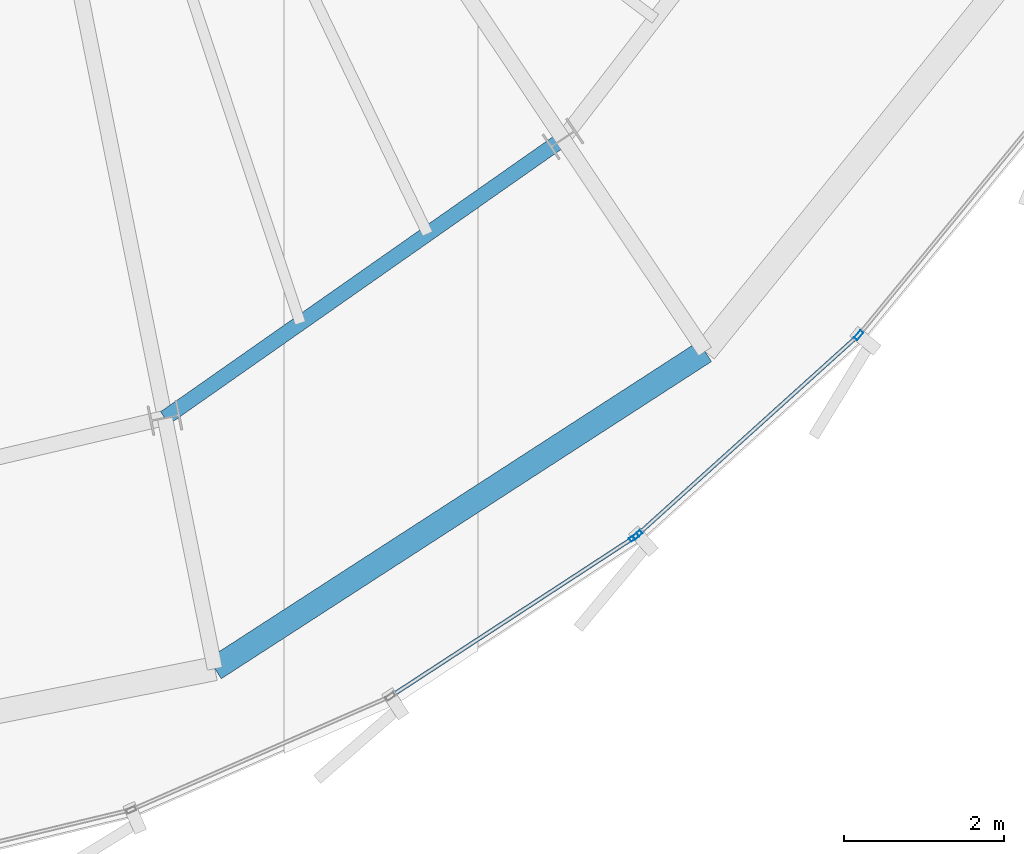
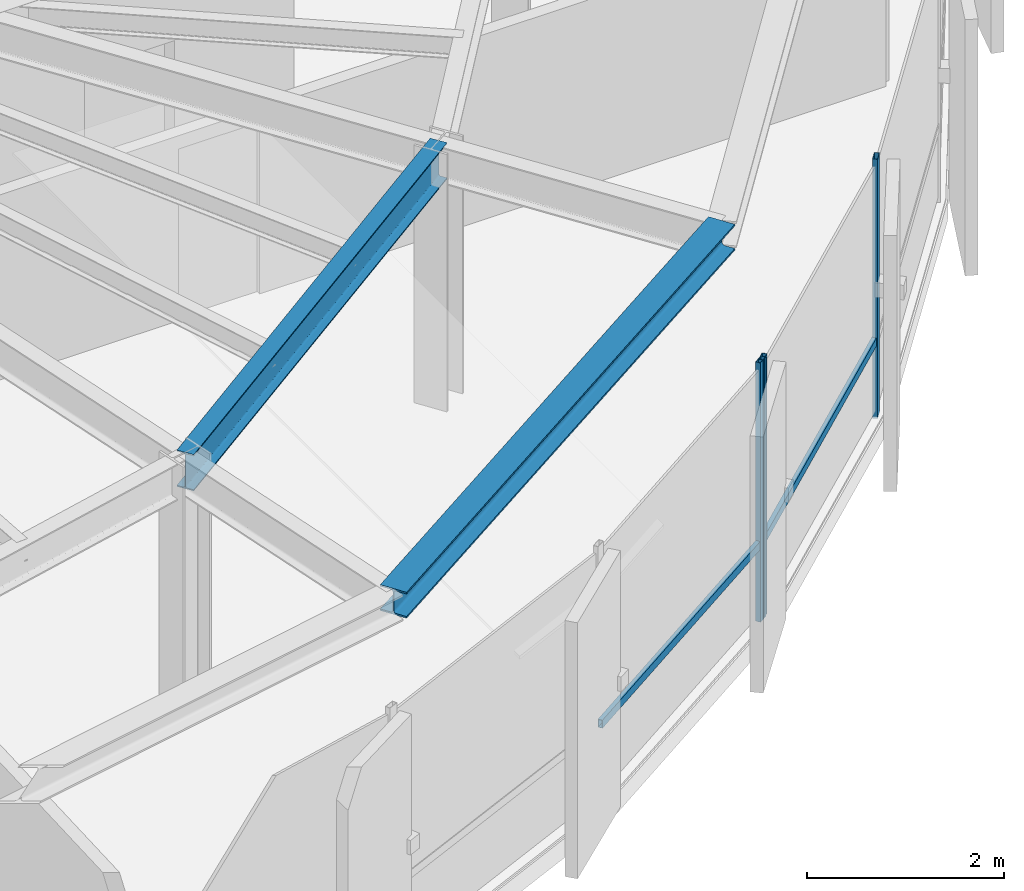
# One storey, part 7 of 31: 5 members, 2 beams, 2 elements without a shape of their own.
"""IFC4 building model written with IfcOpenShell, lengths in metres."""

from ifc_helpers import new_model, si_unit, direction, frame, origin, origin_2d, place, context, subcontext, project, spatial, hollow_rectangle, i_section, extrude, source, transform, mapped, material, layer, layer_set, material_profile, profile_set, type_object, element, aggregate, save


model = new_model("IFC4")

# Units and contexts
model_context = context("Model", 3, precision=1e-05, world=origin(), true_north=direction((0.0, 1.0)))
body_context = subcontext(model_context, "Body", "Model", "MODEL_VIEW")
ifc_project = project(units=[si_unit("LENGTHUNIT", "METRE"), si_unit("AREAUNIT", "SQUARE_METRE"), si_unit("VOLUMEUNIT", "CUBIC_METRE"), si_unit("PLANEANGLEUNIT", "RADIAN"), si_unit("MASSUNIT", "GRAM", prefix="KILO"), si_unit("THERMODYNAMICTEMPERATUREUNIT", "KELVIN")], contexts=[model_context])

# Site, building, storey
site_placement = place(None, origin())
site = spatial("IfcSite", under=ifc_project, at=site_placement, CompositionType="ELEMENT")
building_placement = place(site_placement, origin())
building = spatial("IfcBuilding", under=site, at=building_placement, Name="Kethvar Cultural Tower", CompositionType="ELEMENT")
storey_placement = place(building_placement, frame((0.0, 0.0, 287.050048828125)))
storey = spatial("IfcBuildingStorey", under=building, at=storey_placement, Name="L76", CompositionType="ELEMENT", Elevation=287.050048828125)

# Beams
ifc_material_1 = material(Name="Steel S355J2", Category="steel")
ifc_material_profile_1 = material_profile(ifc_material_1, i_section(OverallWidth=0.18994140625, OverallDepth=0.449951171875, WebThickness=0.009521484375, FlangeThickness=0.0146484375, FilletRadius=0.02099609375, at=origin_2d()), Name="Steel S355J2 — IPE450")
ifc_profile_set_1 = profile_set([ifc_material_profile_1], Name="Steel S355J2 — IPE450")
beam_type_1 = type_object("IfcBeamType", Name="BM-IPE450", PredefinedType="BEAM", material=ifc_profile_set_1)
shared_shape_1 = source(origin(), body_context, "Body", "SweptSolid", [
    extrude(i_section(OverallWidth=0.18994140625, OverallDepth=0.449951171875, WebThickness=0.009521484375, FlangeThickness=0.0146484375, FilletRadius=0.02099609375, at=origin_2d()), origin(), (0.0, 0.0, 1.0), 6.0859375),
])
beam_1_placement = place(storey_placement, frame((49.901611328125, 12.206787109375, 2.98291015625), z_axis=(0.818843498091, 0.57401683393, 0.0), x_axis=(-0.57401683393, 0.818843498091, 0.0)))
element("IfcBeam", 1, at=beam_1_placement, inside=storey, type_object=beam_type_1, Name="L76 Column Ring Tie Beam CR-13", PredefinedType="BEAM", context=body_context, shape_type="MappedRepresentation", body=[
    mapped(shared_shape_1, transform((0.0, 0.0, 0.0), scale=1.0)),
])
ifc_material_profile_2 = material_profile(ifc_material_1, i_section(OverallWidth=0.300048828125, OverallDepth=0.320068359375, WebThickness=0.011474609375, FlangeThickness=0.0205078125, FilletRadius=0.027099609375, at=origin_2d()), Name="Steel S355J2 — HEB320")
ifc_profile_set_2 = profile_set([ifc_material_profile_2], Name="Steel S355J2 — HEB320")
beam_type_2 = type_object("IfcBeamType", Name="BM-SP320", PredefinedType="SPANDREL", material=ifc_profile_set_2)
shared_shape_2 = source(origin(), body_context, "Body", "SweptSolid", [
    extrude(i_section(OverallWidth=0.300048828125, OverallDepth=0.320068359375, WebThickness=0.011474609375, FlangeThickness=0.0205078125, FilletRadius=0.027099609375, at=origin_2d()), origin(), (0.0, 0.0, 1.0), 7.309326171875),
])
beam_2_placement = place(storey_placement, frame((50.52587890625, 9.068359375, 3.0478515625), z_axis=(0.839562091992, 0.543263742292, 0.0), x_axis=(-0.543263742292, 0.839562091992, 0.0)))
element("IfcBeam", 2, at=beam_2_placement, inside=storey, type_object=beam_type_2, Name="L76 Perimeter Spandrel Beam SP-13", PredefinedType="SPANDREL", context=body_context, shape_type="MappedRepresentation", body=[
    mapped(shared_shape_2, transform((0.0, 0.0, 0.0), scale=1.0)),
])

# Curtain wall, member
ifc_material_2 = material(Name="Aluminium 6063-T6", Category="aluminium")
ifc_layer = layer(ifc_material_2, 0.179931640625, Name="Aluminium 6063-T6", Category="aluminium")
ifc_layer_set = layer_set([ifc_layer], Name="Aluminium 6063-T6 (180 mm)")
curtain_wall_type = type_object("IfcCurtainWallType", Name="CW-SYS-05-Z56", PredefinedType="NOTDEFINED", material=ifc_layer_set)
curtain_wall_1_placement = place(storey_placement, origin())
curtain_wall_1 = element("IfcCurtainWall", 3, at=curtain_wall_1_placement, inside=storey, type_object=curtain_wall_type, Name="L76 Curtain Wall Run 04", PredefinedType="NOTDEFINED")
ifc_material_profile_3 = material_profile(ifc_material_2, hollow_rectangle(XDim=0.054931640625, YDim=0.1201171875, WallThickness=0.00390625, at=origin_2d()), Name="Aluminium 6063-T6 — RHS120x55x4")
ifc_profile_set_3 = profile_set([ifc_material_profile_3], Name="Aluminium 6063-T6 — RHS120x55x4")
member_type_1 = type_object("IfcMemberType", Name="CW-SYS-05-Z56-MUL", PredefinedType="MULLION", material=ifc_profile_set_3)
shared_shape_3 = source(origin(), body_context, "Body", "SweptSolid", [
    extrude(hollow_rectangle(XDim=0.054931640625, YDim=0.1201171875, WallThickness=0.00390625, at=origin_2d()), origin(), (0.0, 0.0, 1.0), 3.2099609375),
])
member_1_placement = place(storey_placement, frame((55.775390625, 10.7119140625, 0.0), z_axis=(0.0, 0.0, 1.0), x_axis=(-0.546730508005, 0.837308635819, 0.0)))
member_1 = element("IfcMember", 4, at=member_1_placement, type_object=member_type_1, Name="CW-L76-R04 Mullion 7", PredefinedType="MULLION", context=body_context, shape_type="MappedRepresentation", body=[
    mapped(shared_shape_3, transform((0.0, 0.0, 0.0), scale=1.0)),
])

# Curtain wall, members
curtain_wall_2_placement = place(storey_placement, origin())
curtain_wall_2 = element("IfcCurtainWall", 5, at=curtain_wall_2_placement, inside=storey, type_object=curtain_wall_type, Name="L76 Curtain Wall Run 05", PredefinedType="NOTDEFINED")
member_2_placement = place(storey_placement, frame((55.819580078125, 10.745849609375, 0.0), z_axis=(0.0, 0.0, 1.0), x_axis=(-0.670154625584, 0.742221515323, 0.0)))
member_2 = element("IfcMember", 6, at=member_2_placement, type_object=member_type_1, Name="CW-L76-R05 Mullion 1", PredefinedType="MULLION", context=body_context, shape_type="MappedRepresentation", body=[
    mapped(shared_shape_3, transform((0.0, 0.0, 0.0), scale=1.0)),
])
member_3_placement = place(storey_placement, frame((58.587158203125, 13.2431640625, 0.0), z_axis=(0.0, 0.0, 1.0), x_axis=(-0.772866494196, 0.634568658341, 0.0)))
member_3 = element("IfcMember", 7, at=member_3_placement, type_object=member_type_1, Name="CW-L76-R05 Mullion 2", PredefinedType="MULLION", context=body_context, shape_type="MappedRepresentation", body=[
    mapped(shared_shape_3, transform((0.0, 0.0, 0.0), scale=1.0)),
])
ifc_material_profile_4 = material_profile(ifc_material_2, hollow_rectangle(XDim=0.050048828125, YDim=0.10009765625, WallThickness=0.00390625, at=origin_2d()), Name="Aluminium 6063-T6 — RHS100x50x4")
ifc_profile_set_4 = profile_set([ifc_material_profile_4], Name="Aluminium 6063-T6 — RHS100x50x4")
member_type_2 = type_object("IfcMemberType", Name="CW-SYS-05-Z56-TRN", PredefinedType="USERDEFINED", material=ifc_profile_set_4)
shared_shape_4 = source(origin(), body_context, "Body", "SweptSolid", [
    extrude(hollow_rectangle(XDim=0.050048828125, YDim=0.10009765625, WallThickness=0.00390625, at=origin_2d()), origin(), (0.0, 0.0, 1.0), 3.698974609375),
])
member_4_placement = place(storey_placement, frame((55.822509765625, 10.74853515625, 0.949951171875), z_axis=(0.742256186191, 0.670116224293, 0.0), x_axis=(-0.670116224293, 0.742256186191, 0.0)))
member_4 = element("IfcMember", 8, at=member_4_placement, type_object=member_type_2, Name="CW-L76-R05 Transom 1", ObjectType="TRANSOM", PredefinedType="USERDEFINED", context=body_context, shape_type="MappedRepresentation", body=[
    mapped(shared_shape_4, transform((0.0, 0.0, 0.0), scale=1.0)),
])
aggregate(curtain_wall_2, [member_2, member_3, member_4])

# Member
shared_shape_5 = source(origin(), body_context, "Body", "SweptSolid", [
    extrude(hollow_rectangle(XDim=0.050048828125, YDim=0.10009765625, WallThickness=0.00390625, at=origin_2d()), origin(), (0.0, 0.0, 1.0), 3.5986328125),
])
member_5_placement = place(storey_placement, frame((52.759033203125, 8.7421875, 0.949951171875), z_axis=(0.837304097077, 0.546737458949, 0.0), x_axis=(-0.546737458949, 0.837304097077, 0.0)))
member_5 = element("IfcMember", 9, at=member_5_placement, type_object=member_type_2, Name="CW-L76-R04 Transom 6", ObjectType="TRANSOM", PredefinedType="USERDEFINED", context=body_context, shape_type="MappedRepresentation", body=[
    mapped(shared_shape_5, transform((0.0, 0.0, 0.0), scale=1.0)),
])

aggregate(curtain_wall_1, [member_1, member_5])

save(model, "model.ifc")
